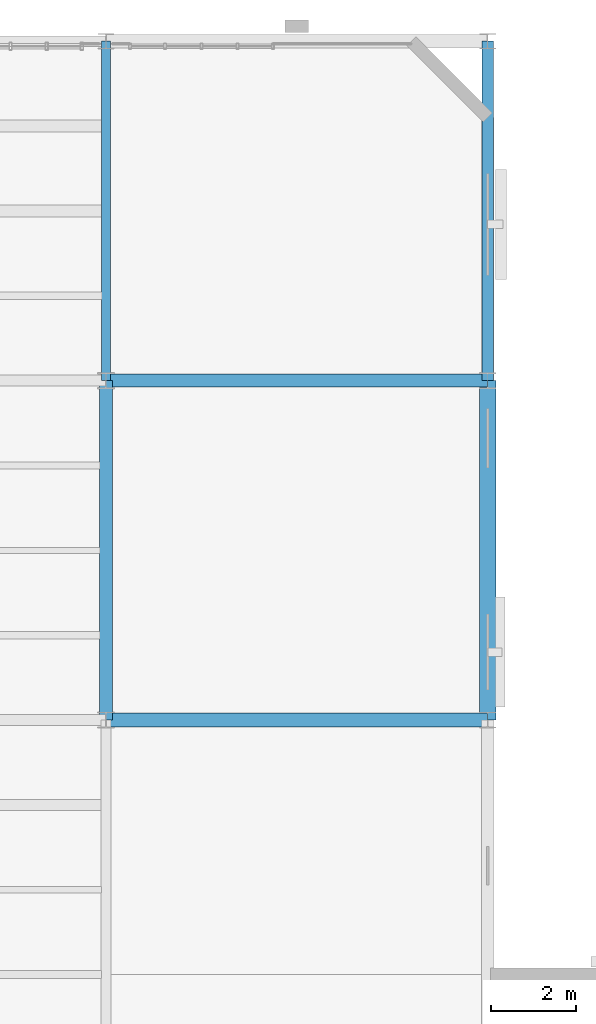
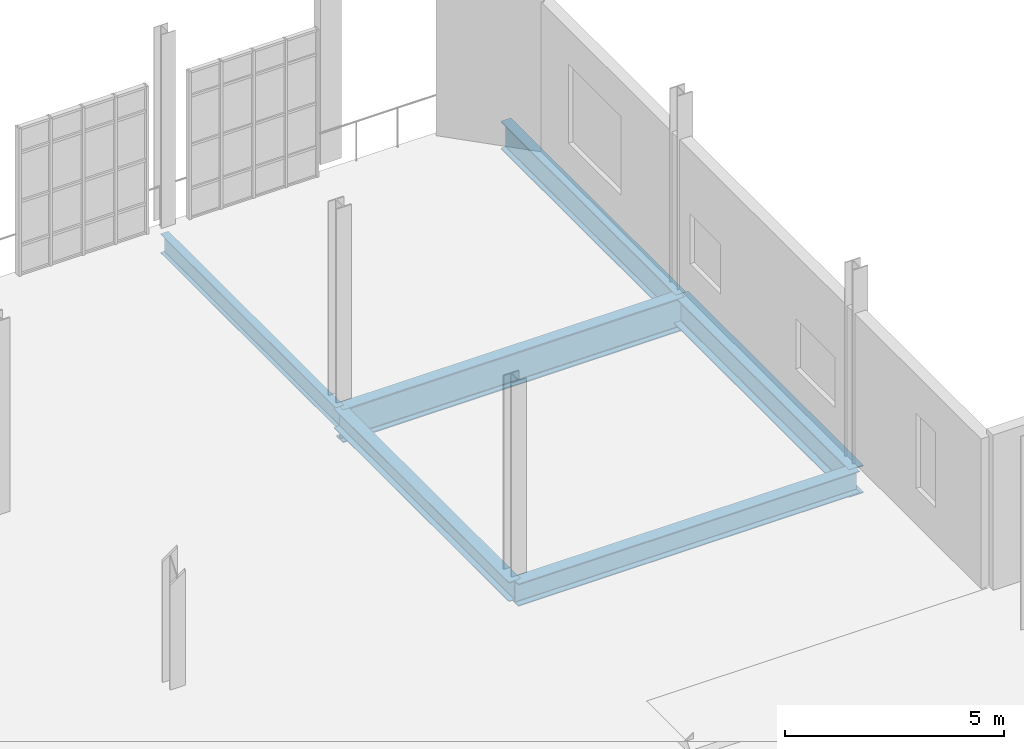
# One storey, part 69 of 142: 6 beams.
"""IFC4 building model written with IfcOpenShell, lengths in metres."""

from ifc_helpers import new_model, si_unit, direction, frame, origin, origin_2d, place, context, subcontext, project, spatial, i_section, extrude, material, material_profile, profile_set, type_object, element, save


model = new_model("IFC4")

# Units and contexts
model_context = context("Model", 3, precision=1e-05, world=origin(), true_north=direction((0.0, 1.0)))
body_context = subcontext(model_context, "Body", "Model", "MODEL_VIEW")
ifc_project = project(units=[si_unit("LENGTHUNIT", "METRE"), si_unit("AREAUNIT", "SQUARE_METRE"), si_unit("VOLUMEUNIT", "CUBIC_METRE"), si_unit("PLANEANGLEUNIT", "RADIAN"), si_unit("MASSUNIT", "GRAM", prefix="KILO"), si_unit("THERMODYNAMICTEMPERATUREUNIT", "KELVIN"), si_unit("POWERUNIT", "WATT")], contexts=[model_context])

# Site, building, storey
site_placement = place(None, origin())
site = spatial("IfcSite", under=ifc_project, at=site_placement, CompositionType="ELEMENT")
building_placement = place(site_placement, origin())
building = spatial("IfcBuilding", under=site, at=building_placement, Name="Zelmaris Science Centre", CompositionType="ELEMENT")
storey_placement = place(building_placement, frame((0.0, 0.0, 5.39990234375)))
storey = spatial("IfcBuildingStorey", under=building, at=storey_placement, Name="L01", CompositionType="ELEMENT", Elevation=5.39990234375)

# Beams
ifc_material = material(Name="Steel ASTM A992 Grade 50", Category="steel")
ifc_material_profile_1 = material_profile(ifc_material, i_section(OverallWidth=0.306884765625, OverallDepth=0.927001953125, WebThickness=0.019287109375, FlangeThickness=0.031982421875, FilletRadius=0.02392578125, at=origin_2d()), Name="W36X194")
ifc_profile_set_1 = profile_set([ifc_material_profile_1], Name="Steel ASTM A992 Grade 50")
beam_type_1 = type_object("IfcBeamType", Name="Beam G-03 W36X194", PredefinedType="BEAM", material=ifc_profile_set_1)
beam_1_placement = place(storey_placement, frame((99.0, 80.0, -0.743408203125), z_axis=(1.0, 0.0, 0.0), x_axis=(0.0, 1.0, 0.0)))
element("IfcBeam", 1, at=beam_1_placement, inside=storey, type_object=beam_type_1, Name="L01 East-west girder 403", PredefinedType="BEAM", context=body_context, shape_type="SweptSolid", body=[
    extrude(i_section(OverallWidth=0.306884765625, OverallDepth=0.927001953125, WebThickness=0.019287109375, FlangeThickness=0.031982421875, FilletRadius=0.02392578125, at=origin_2d()), origin(), (0.0, 0.0, 1.0), 9.0),
])
ifc_material_profile_2 = material_profile(ifc_material, i_section(OverallWidth=0.31201171875, OverallDepth=0.5439453125, WebThickness=0.0126953125, FlangeThickness=0.020263671875, FilletRadius=0.013916015625, at=origin_2d()), Name="W21X101")
ifc_profile_set_2 = profile_set([ifc_material_profile_2], Name="Steel ASTM A992 Grade 50")
beam_type_2 = type_object("IfcBeamType", Name="Beam G-18 W21X101", PredefinedType="BEAM", material=ifc_profile_set_2)
beam_2_placement = place(storey_placement, frame((99.0, 72.0, -0.552001953125), z_axis=(0.0, 1.0, 0.0), x_axis=(-1.0, 0.0, 0.0)))
element("IfcBeam", 2, at=beam_2_placement, inside=storey, type_object=beam_type_2, Name="L01 North-south girder 290", PredefinedType="BEAM", context=body_context, shape_type="SweptSolid", body=[
    extrude(i_section(OverallWidth=0.31201171875, OverallDepth=0.5439453125, WebThickness=0.0126953125, FlangeThickness=0.020263671875, FilletRadius=0.013916015625, at=origin_2d()), origin(), (0.0, 0.0, 1.0), 8.0),
])
ifc_material_profile_3 = material_profile(ifc_material, i_section(OverallWidth=0.2109375, OverallDepth=0.5380859375, WebThickness=0.01171875, FlangeThickness=0.018798828125, FilletRadius=0.013916015625, at=origin_2d()), Name="W21X73")
ifc_profile_set_3 = profile_set([ifc_material_profile_3], Name="Steel ASTM A992 Grade 50")
beam_type_3 = type_object("IfcBeamType", Name="Beam G-19 W21X73", PredefinedType="BEAM", material=ifc_profile_set_3)
beam_3_placement = place(storey_placement, frame((99.0, 80.0, -0.548828125), z_axis=(0.0, 1.0, 0.0), x_axis=(-1.0, 0.0, 0.0)))
element("IfcBeam", 3, at=beam_3_placement, inside=storey, type_object=beam_type_3, Name="L01 North-south girder 291", PredefinedType="BEAM", context=body_context, shape_type="SweptSolid", body=[
    extrude(i_section(OverallWidth=0.2109375, OverallDepth=0.5380859375, WebThickness=0.01171875, FlangeThickness=0.018798828125, FilletRadius=0.013916015625, at=origin_2d()), origin(), (0.0, 0.0, 1.0), 8.0),
])
ifc_material_profile_4 = material_profile(ifc_material, i_section(OverallWidth=0.381103515625, OverallDepth=0.777099609375, WebThickness=0.01806640625, FlangeThickness=0.030029296875, FilletRadius=0.01904296875, at=origin_2d()), Name="W30X191")
ifc_profile_set_4 = profile_set([ifc_material_profile_4], Name="Steel ASTM A992 Grade 50")
beam_type_4 = type_object("IfcBeamType", Name="Beam G-31 W30X191", PredefinedType="BEAM", material=ifc_profile_set_4)
beam_4_placement = place(storey_placement, frame((108.0, 72.0, -0.66845703125), z_axis=(0.0, 1.0, 0.0), x_axis=(-1.0, 0.0, 0.0)))
element("IfcBeam", 4, at=beam_4_placement, inside=storey, type_object=beam_type_4, Name="L01 North-south girder 299", PredefinedType="BEAM", context=body_context, shape_type="SweptSolid", body=[
    extrude(i_section(OverallWidth=0.381103515625, OverallDepth=0.777099609375, WebThickness=0.01806640625, FlangeThickness=0.030029296875, FilletRadius=0.01904296875, at=origin_2d()), origin(), (0.0, 0.0, 1.0), 8.0),
])
ifc_material_profile_5 = material_profile(ifc_material, i_section(OverallWidth=0.26708984375, OverallDepth=0.780029296875, WebThickness=0.0166015625, FlangeThickness=0.030029296875, FilletRadius=0.01904296875, at=origin_2d()), Name="W30X148")
ifc_profile_set_5 = profile_set([ifc_material_profile_5], Name="Steel ASTM A992 Grade 50")
beam_type_5 = type_object("IfcBeamType", Name="Beam G-32 W30X148", PredefinedType="BEAM", material=ifc_profile_set_5)
beam_5_placement = place(storey_placement, frame((108.0, 80.0, -0.669921875), z_axis=(0.0, 1.0, 0.0), x_axis=(-1.0, 0.0, 0.0)))
element("IfcBeam", 5, at=beam_5_placement, inside=storey, type_object=beam_type_5, Name="L01 North-south girder 300", PredefinedType="BEAM", context=body_context, shape_type="SweptSolid", body=[
    extrude(i_section(OverallWidth=0.26708984375, OverallDepth=0.780029296875, WebThickness=0.0166015625, FlangeThickness=0.030029296875, FilletRadius=0.01904296875, at=origin_2d()), origin(), (0.0, 0.0, 1.0), 8.0),
])
ifc_material_profile_6 = material_profile(ifc_material, i_section(OverallWidth=0.327880859375, OverallDepth=0.626953125, WebThickness=0.0166015625, FlangeThickness=0.027587890625, FilletRadius=0.014892578125, at=origin_2d()), Name="W24X146")
ifc_profile_set_6 = profile_set([ifc_material_profile_6], Name="Steel ASTM A992 Grade 50")
beam_type_6 = type_object("IfcBeamType", Name="Beam G-37 W24X146", PredefinedType="BEAM", material=ifc_profile_set_6)
beam_6_placement = place(storey_placement, frame((99.0, 72.0, -0.593505859375), z_axis=(1.0, 0.0, 0.0), x_axis=(0.0, 1.0, 0.0)))
element("IfcBeam", 6, at=beam_6_placement, inside=storey, type_object=beam_type_6, Name="L01 East-west girder 398", PredefinedType="BEAM", context=body_context, shape_type="SweptSolid", body=[
    extrude(i_section(OverallWidth=0.327880859375, OverallDepth=0.626953125, WebThickness=0.0166015625, FlangeThickness=0.027587890625, FilletRadius=0.014892578125, at=origin_2d()), origin(), (0.0, 0.0, 1.0), 9.0),
])

save(model, "model.ifc")
